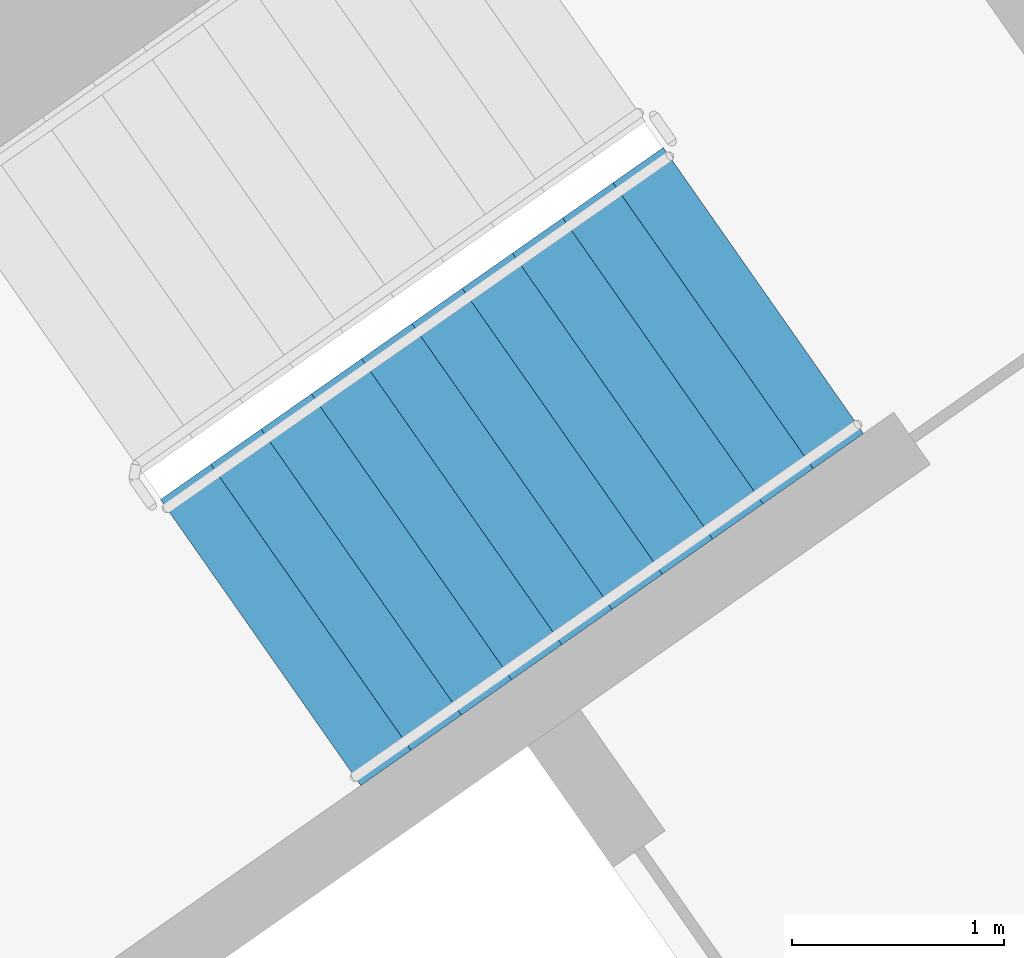
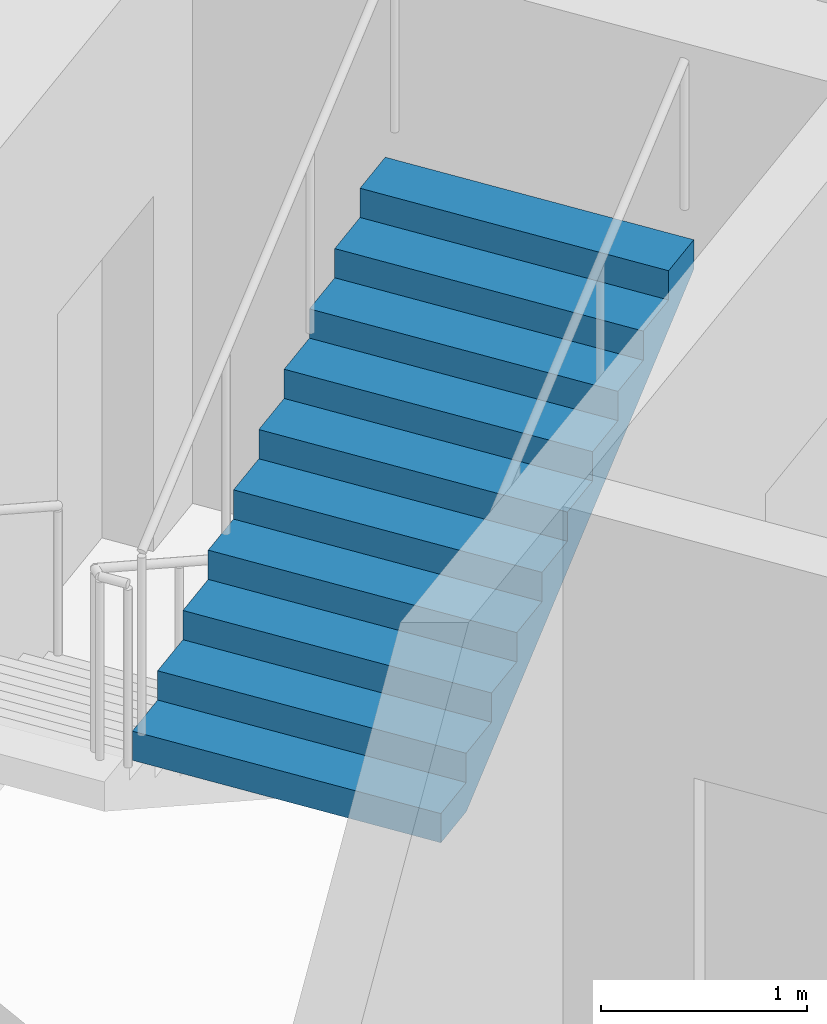
# One storey, part 17 of 27: 1 stair flight, 1 element without a shape of its own.
"""IFC4 building model written with IfcOpenShell, lengths in metres."""

from ifc_helpers import new_model, si_unit, direction, frame, origin, place, context, subcontext, project, spatial, faceted_brep, material, type_object, element, aggregate, save


model = new_model("IFC4")

# Units and contexts
model_context = context("Model", 3, precision=1e-05, world=origin(), true_north=direction((0.0, 1.0)))
body_context = subcontext(model_context, "Body", "Model", "MODEL_VIEW")
ifc_project = project(units=[si_unit("LENGTHUNIT", "METRE"), si_unit("AREAUNIT", "SQUARE_METRE"), si_unit("VOLUMEUNIT", "CUBIC_METRE"), si_unit("PLANEANGLEUNIT", "RADIAN"), si_unit("MASSUNIT", "GRAM", prefix="KILO")], contexts=[model_context])

# Site, building, storey
site_placement = place(None, origin())
site = spatial("IfcSite", under=ifc_project, at=site_placement, CompositionType="ELEMENT")
building_placement = place(site_placement, origin())
building = spatial("IfcBuilding", under=site, at=building_placement, Name="Qamariyya Broadcast Tower", CompositionType="ELEMENT")
storey_placement = place(building_placement, frame((0.0, 0.0, 179.699951171875)))
storey = spatial("IfcBuildingStorey", under=building, at=storey_placement, Name="L42", CompositionType="ELEMENT", Elevation=179.699951171875)

# Stair, stair flight
ifc_material = material(Name="Concrete C50/60", Category="concrete")
stair_type = type_object("IfcStairType", Name="Exit stair 22 risers of 173 mm", PredefinedType="HALF_TURN_STAIR", material=ifc_material)
stair_placement = place(storey_placement, origin())
stair = element("IfcStair", 1, at=stair_placement, inside=storey, type_object=stair_type, Name="L42 Stair E2", PredefinedType="HALF_TURN_STAIR")
stair_flight_type = type_object("IfcStairFlightType", Name="Exit stair flight 11 risers of 173 mm", PredefinedType="STRAIGHT", material=ifc_material)
stair_flight_placement = place(storey_placement, frame((39.215576171875, -50.822998046875, 1.900146484375), z_axis=(0.0, 0.0, 1.0), x_axis=(0.819152044289, 0.573576436351, 0.0)))
stair_flight = element("IfcStairFlight", 2, at=stair_flight_placement, type_object=stair_flight_type, Name="ST-E2 flight 2", NumberOfRisers=11, NumberOfTreads=10, PredefinedType="STRAIGHT", RiserHeight=0.172727273, TreadLength=0.29, context=body_context, shape_type="Brep", body=[
    faceted_brep([(0.0, 0.824951171875, 0.0), (0.0, 0.824951171875, 0.172607421875), (0.2900390625, 0.824951171875, 0.172607421875), (0.2900390625, 0.824951171875, 0.345458984375), (0.580078125, 0.824951171875, 0.345458984375), (0.580078125, 0.824951171875, 0.51806640625), (0.8701171875, 0.824951171875, 0.51806640625), (0.8701171875, 0.824951171875, 0.69091796875), (1.159912109375, 0.824951171875, 0.69091796875), (1.159912109375, 0.824951171875, 0.863525390625), (1.449951171875, 0.824951171875, 0.863525390625), (1.449951171875, 0.824951171875, 1.036376953125), (1.739990234375, 0.824951171875, 1.036376953125), (1.739990234375, 0.824951171875, 1.208984375), (2.030029296875, 0.824951171875, 1.208984375), (2.030029296875, 0.824951171875, 1.3818359375), (2.320068359375, 0.824951171875, 1.3818359375), (2.320068359375, 0.824951171875, 1.554443359375), (2.610107421875, 0.824951171875, 1.554443359375), (2.610107421875, 0.824951171875, 1.727294921875), (2.89990234375, 0.824951171875, 1.727294921875), (2.89990234375, 0.824951171875, 1.552734375), (0.29296875, 0.824951171875, 0.0), (0.29296875, -0.824951171875, 0.0), (2.89990234375, -0.824951171875, 1.552734375), (2.89990234375, -0.824951171875, 1.727294921875), (2.610107421875, -0.824951171875, 1.727294921875), (2.610107421875, -0.824951171875, 1.554443359375), (2.320068359375, -0.824951171875, 1.554443359375), (2.320068359375, -0.824951171875, 1.3818359375), (2.030029296875, -0.824951171875, 1.3818359375), (2.030029296875, -0.824951171875, 1.208984375), (1.739990234375, -0.824951171875, 1.208984375), (1.739990234375, -0.824951171875, 1.036376953125), (1.449951171875, -0.824951171875, 1.036376953125), (1.449951171875, -0.824951171875, 0.863525390625), (1.159912109375, -0.824951171875, 0.863525390625), (1.159912109375, -0.824951171875, 0.69091796875), (0.8701171875, -0.824951171875, 0.69091796875), (0.8701171875, -0.824951171875, 0.51806640625), (0.580078125, -0.824951171875, 0.51806640625), (0.580078125, -0.824951171875, 0.345458984375), (0.2900390625, -0.824951171875, 0.345458984375), (0.2900390625, -0.824951171875, 0.172607421875), (0.0, -0.824951171875, 0.172607421875), (0.0, -0.824951171875, 0.0), (0.0, 0.10009765625, 0.0), (0.0, 0.086669921875, 0.0), (0.0, 0.0732421875, 0.0), (0.0, 0.06005859375, 0.0), (0.0, 0.046630859375, 0.0), (0.0, 0.033447265625, 0.0), (0.0, 0.02001953125, 0.0), (0.0, 0.006591796875, 0.0), (0.0, -0.006591796875, 0.0), (0.0, -0.02001953125, 0.0), (0.0, -0.033447265625, 0.0), (0.0, -0.046630859375, 0.0), (0.0, -0.06005859375, 0.0), (0.0, -0.0732421875, 0.0), (0.0, -0.086669921875, 0.0), (0.0, -0.10009765625, 0.0), (0.0, -0.10009765625, 0.172607421875), (0.0, -0.086669921875, 0.172607421875), (0.0, -0.0732421875, 0.172607421875), (0.0, -0.06005859375, 0.172607421875), (0.0, -0.046630859375, 0.172607421875), (0.0, -0.033447265625, 0.172607421875), (0.0, -0.02001953125, 0.172607421875), (0.0, -0.006591796875, 0.172607421875), (0.0, 0.006591796875, 0.172607421875), (0.0, 0.02001953125, 0.172607421875), (0.0, 0.033447265625, 0.172607421875), (0.0, 0.046630859375, 0.172607421875), (0.0, 0.06005859375, 0.172607421875), (0.0, 0.0732421875, 0.172607421875), (0.0, 0.086669921875, 0.172607421875), (0.0, 0.10009765625, 0.172607421875), (0.2900390625, -0.10009765625, 0.172607421875), (0.2900390625, -0.086669921875, 0.172607421875), (0.2900390625, -0.0732421875, 0.172607421875), (0.2900390625, -0.06005859375, 0.172607421875), (0.2900390625, -0.046630859375, 0.172607421875), (0.2900390625, -0.033447265625, 0.172607421875), (0.2900390625, -0.02001953125, 0.172607421875), (0.2900390625, -0.006591796875, 0.172607421875), (0.2900390625, 0.006591796875, 0.172607421875), (0.2900390625, 0.02001953125, 0.172607421875), (0.2900390625, 0.033447265625, 0.172607421875), (0.2900390625, 0.046630859375, 0.172607421875), (0.2900390625, 0.06005859375, 0.172607421875), (0.2900390625, 0.0732421875, 0.172607421875), (0.2900390625, 0.086669921875, 0.172607421875), (0.2900390625, 0.10009765625, 0.172607421875), (0.2900390625, -0.10009765625, 0.345458984375), (0.2900390625, -0.086669921875, 0.345458984375), (0.2900390625, -0.0732421875, 0.345458984375), (0.2900390625, -0.06005859375, 0.345458984375), (0.2900390625, -0.046630859375, 0.345458984375), (0.2900390625, -0.033447265625, 0.345458984375), (0.2900390625, -0.02001953125, 0.345458984375), (0.2900390625, -0.006591796875, 0.345458984375), (0.2900390625, 0.006591796875, 0.345458984375), (0.2900390625, 0.02001953125, 0.345458984375), (0.2900390625, 0.033447265625, 0.345458984375), (0.2900390625, 0.046630859375, 0.345458984375), (0.2900390625, 0.06005859375, 0.345458984375), (0.2900390625, 0.0732421875, 0.345458984375), (0.2900390625, 0.086669921875, 0.345458984375), (0.2900390625, 0.10009765625, 0.345458984375), (0.580078125, -0.10009765625, 0.345458984375), (0.580078125, -0.086669921875, 0.345458984375), (0.580078125, -0.0732421875, 0.345458984375), (0.580078125, -0.06005859375, 0.345458984375), (0.580078125, -0.046630859375, 0.345458984375), (0.580078125, -0.033447265625, 0.345458984375), (0.580078125, -0.02001953125, 0.345458984375), (0.580078125, -0.006591796875, 0.345458984375), (0.580078125, 0.006591796875, 0.345458984375), (0.580078125, 0.02001953125, 0.345458984375), (0.580078125, 0.033447265625, 0.345458984375), (0.580078125, 0.046630859375, 0.345458984375), (0.580078125, 0.06005859375, 0.345458984375), (0.580078125, 0.0732421875, 0.345458984375), (0.580078125, 0.086669921875, 0.345458984375), (0.580078125, 0.10009765625, 0.345458984375), (0.580078125, -0.10009765625, 0.51806640625), (0.580078125, -0.086669921875, 0.51806640625), (0.580078125, -0.0732421875, 0.51806640625), (0.580078125, -0.06005859375, 0.51806640625), (0.580078125, -0.046630859375, 0.51806640625), (0.580078125, -0.033447265625, 0.51806640625), (0.580078125, -0.02001953125, 0.51806640625), (0.580078125, -0.006591796875, 0.51806640625), (0.580078125, 0.006591796875, 0.51806640625), (0.580078125, 0.02001953125, 0.51806640625), (0.580078125, 0.033447265625, 0.51806640625), (0.580078125, 0.046630859375, 0.51806640625), (0.580078125, 0.06005859375, 0.51806640625), (0.580078125, 0.0732421875, 0.51806640625), (0.580078125, 0.086669921875, 0.51806640625), (0.580078125, 0.10009765625, 0.51806640625), (0.8701171875, -0.10009765625, 0.51806640625), (0.8701171875, -0.086669921875, 0.51806640625), (0.8701171875, -0.0732421875, 0.51806640625), (0.8701171875, -0.06005859375, 0.51806640625), (0.8701171875, -0.046630859375, 0.51806640625), (0.8701171875, -0.033447265625, 0.51806640625), (0.8701171875, -0.02001953125, 0.51806640625), (0.8701171875, -0.006591796875, 0.51806640625), (0.8701171875, 0.006591796875, 0.51806640625), (0.8701171875, 0.02001953125, 0.51806640625), (0.8701171875, 0.033447265625, 0.51806640625), (0.8701171875, 0.046630859375, 0.51806640625), (0.8701171875, 0.06005859375, 0.51806640625), (0.8701171875, 0.0732421875, 0.51806640625), (0.8701171875, 0.086669921875, 0.51806640625), (0.8701171875, 0.10009765625, 0.51806640625), (0.8701171875, -0.10009765625, 0.69091796875), (0.8701171875, -0.086669921875, 0.69091796875), (0.8701171875, -0.0732421875, 0.69091796875), (0.8701171875, -0.06005859375, 0.69091796875), (0.8701171875, -0.046630859375, 0.69091796875), (0.8701171875, -0.033447265625, 0.69091796875), (0.8701171875, -0.02001953125, 0.69091796875), (0.8701171875, -0.006591796875, 0.69091796875), (0.8701171875, 0.006591796875, 0.69091796875), (0.8701171875, 0.02001953125, 0.69091796875), (0.8701171875, 0.033447265625, 0.69091796875), (0.8701171875, 0.046630859375, 0.69091796875), (0.8701171875, 0.06005859375, 0.69091796875), (0.8701171875, 0.0732421875, 0.69091796875), (0.8701171875, 0.086669921875, 0.69091796875), (0.8701171875, 0.10009765625, 0.69091796875), (1.159912109375, -0.10009765625, 0.69091796875), (1.159912109375, -0.086669921875, 0.69091796875), (1.159912109375, -0.0732421875, 0.69091796875), (1.159912109375, -0.06005859375, 0.69091796875), (1.159912109375, -0.046630859375, 0.69091796875), (1.159912109375, -0.033447265625, 0.69091796875), (1.159912109375, -0.02001953125, 0.69091796875), (1.159912109375, -0.006591796875, 0.69091796875), (1.159912109375, 0.006591796875, 0.69091796875), (1.159912109375, 0.02001953125, 0.69091796875), (1.159912109375, 0.033447265625, 0.69091796875), (1.159912109375, 0.046630859375, 0.69091796875), (1.159912109375, 0.06005859375, 0.69091796875), (1.159912109375, 0.0732421875, 0.69091796875), (1.159912109375, 0.086669921875, 0.69091796875), (1.159912109375, 0.10009765625, 0.69091796875), (1.159912109375, -0.10009765625, 0.863525390625), (1.159912109375, -0.086669921875, 0.863525390625), (1.159912109375, -0.0732421875, 0.863525390625), (1.159912109375, -0.06005859375, 0.863525390625), (1.159912109375, -0.046630859375, 0.863525390625), (1.159912109375, -0.033447265625, 0.863525390625), (1.159912109375, -0.02001953125, 0.863525390625), (1.159912109375, -0.006591796875, 0.863525390625), (1.159912109375, 0.006591796875, 0.863525390625), (1.159912109375, 0.02001953125, 0.863525390625), (1.159912109375, 0.033447265625, 0.863525390625), (1.159912109375, 0.046630859375, 0.863525390625), (1.159912109375, 0.06005859375, 0.863525390625), (1.159912109375, 0.0732421875, 0.863525390625), (1.159912109375, 0.086669921875, 0.863525390625), (1.159912109375, 0.10009765625, 0.863525390625), (1.449951171875, -0.10009765625, 0.863525390625), (1.449951171875, -0.086669921875, 0.863525390625), (1.449951171875, -0.0732421875, 0.863525390625), (1.449951171875, -0.06005859375, 0.863525390625), (1.449951171875, -0.046630859375, 0.863525390625), (1.449951171875, -0.033447265625, 0.863525390625), (1.449951171875, -0.02001953125, 0.863525390625), (1.449951171875, -0.006591796875, 0.863525390625), (1.449951171875, 0.006591796875, 0.863525390625), (1.449951171875, 0.02001953125, 0.863525390625), (1.449951171875, 0.033447265625, 0.863525390625), (1.449951171875, 0.046630859375, 0.863525390625), (1.449951171875, 0.06005859375, 0.863525390625), (1.449951171875, 0.0732421875, 0.863525390625), (1.449951171875, 0.086669921875, 0.863525390625), (1.449951171875, 0.10009765625, 0.863525390625), (1.449951171875, -0.10009765625, 1.036376953125), (1.449951171875, -0.086669921875, 1.036376953125), (1.449951171875, -0.0732421875, 1.036376953125), (1.449951171875, -0.06005859375, 1.036376953125), (1.449951171875, -0.046630859375, 1.036376953125), (1.449951171875, -0.033447265625, 1.036376953125), (1.449951171875, -0.02001953125, 1.036376953125), (1.449951171875, -0.006591796875, 1.036376953125), (1.449951171875, 0.006591796875, 1.036376953125), (1.449951171875, 0.02001953125, 1.036376953125), (1.449951171875, 0.033447265625, 1.036376953125), (1.449951171875, 0.046630859375, 1.036376953125), (1.449951171875, 0.06005859375, 1.036376953125), (1.449951171875, 0.0732421875, 1.036376953125), (1.449951171875, 0.086669921875, 1.036376953125), (1.449951171875, 0.10009765625, 1.036376953125), (1.739990234375, -0.10009765625, 1.036376953125), (1.739990234375, -0.086669921875, 1.036376953125), (1.739990234375, -0.0732421875, 1.036376953125), (1.739990234375, -0.06005859375, 1.036376953125), (1.739990234375, -0.046630859375, 1.036376953125), (1.739990234375, -0.033447265625, 1.036376953125), (1.739990234375, -0.02001953125, 1.036376953125), (1.739990234375, -0.006591796875, 1.036376953125), (1.739990234375, 0.006591796875, 1.036376953125), (1.739990234375, 0.02001953125, 1.036376953125), (1.739990234375, 0.033447265625, 1.036376953125), (1.739990234375, 0.046630859375, 1.036376953125), (1.739990234375, 0.06005859375, 1.036376953125), (1.739990234375, 0.0732421875, 1.036376953125), (1.739990234375, 0.086669921875, 1.036376953125), (1.739990234375, 0.10009765625, 1.036376953125), (1.739990234375, -0.10009765625, 1.208984375), (1.739990234375, -0.086669921875, 1.208984375), (1.739990234375, -0.0732421875, 1.208984375), (1.739990234375, -0.06005859375, 1.208984375), (1.739990234375, -0.046630859375, 1.208984375), (1.739990234375, -0.033447265625, 1.208984375), (1.739990234375, -0.02001953125, 1.208984375), (1.739990234375, -0.006591796875, 1.208984375), (1.739990234375, 0.006591796875, 1.208984375), (1.739990234375, 0.02001953125, 1.208984375), (1.739990234375, 0.033447265625, 1.208984375), (1.739990234375, 0.046630859375, 1.208984375), (1.739990234375, 0.06005859375, 1.208984375), (1.739990234375, 0.0732421875, 1.208984375), (1.739990234375, 0.086669921875, 1.208984375), (1.739990234375, 0.10009765625, 1.208984375), (2.030029296875, -0.10009765625, 1.208984375), (2.030029296875, -0.086669921875, 1.208984375), (2.030029296875, -0.0732421875, 1.208984375), (2.030029296875, -0.06005859375, 1.208984375), (2.030029296875, -0.046630859375, 1.208984375), (2.030029296875, -0.033447265625, 1.208984375), (2.030029296875, -0.02001953125, 1.208984375), (2.030029296875, -0.006591796875, 1.208984375), (2.030029296875, 0.006591796875, 1.208984375), (2.030029296875, 0.02001953125, 1.208984375), (2.030029296875, 0.033447265625, 1.208984375), (2.030029296875, 0.046630859375, 1.208984375), (2.030029296875, 0.06005859375, 1.208984375), (2.030029296875, 0.0732421875, 1.208984375), (2.030029296875, 0.086669921875, 1.208984375), (2.030029296875, 0.10009765625, 1.208984375), (2.030029296875, -0.10009765625, 1.3818359375), (2.030029296875, -0.086669921875, 1.3818359375), (2.030029296875, -0.0732421875, 1.3818359375), (2.030029296875, -0.06005859375, 1.3818359375), (2.030029296875, -0.046630859375, 1.3818359375), (2.030029296875, -0.033447265625, 1.3818359375), (2.030029296875, -0.02001953125, 1.3818359375), (2.030029296875, -0.006591796875, 1.3818359375), (2.030029296875, 0.006591796875, 1.3818359375), (2.030029296875, 0.02001953125, 1.3818359375), (2.030029296875, 0.033447265625, 1.3818359375), (2.030029296875, 0.046630859375, 1.3818359375), (2.030029296875, 0.06005859375, 1.3818359375), (2.030029296875, 0.0732421875, 1.3818359375), (2.030029296875, 0.086669921875, 1.3818359375), (2.030029296875, 0.10009765625, 1.3818359375), (2.320068359375, -0.10009765625, 1.3818359375), (2.320068359375, -0.086669921875, 1.3818359375), (2.320068359375, -0.0732421875, 1.3818359375), (2.320068359375, -0.06005859375, 1.3818359375), (2.320068359375, -0.046630859375, 1.3818359375), (2.320068359375, -0.033447265625, 1.3818359375), (2.320068359375, -0.02001953125, 1.3818359375), (2.320068359375, -0.006591796875, 1.3818359375), (2.320068359375, 0.006591796875, 1.3818359375), (2.320068359375, 0.02001953125, 1.3818359375), (2.320068359375, 0.033447265625, 1.3818359375), (2.320068359375, 0.046630859375, 1.3818359375), (2.320068359375, 0.06005859375, 1.3818359375), (2.320068359375, 0.0732421875, 1.3818359375), (2.320068359375, 0.086669921875, 1.3818359375), (2.320068359375, 0.10009765625, 1.3818359375), (2.320068359375, -0.10009765625, 1.554443359375), (2.320068359375, -0.086669921875, 1.554443359375), (2.320068359375, -0.0732421875, 1.554443359375), (2.320068359375, -0.06005859375, 1.554443359375), (2.320068359375, -0.046630859375, 1.554443359375), (2.320068359375, -0.033447265625, 1.554443359375), (2.320068359375, -0.02001953125, 1.554443359375), (2.320068359375, -0.006591796875, 1.554443359375), (2.320068359375, 0.006591796875, 1.554443359375), (2.320068359375, 0.02001953125, 1.554443359375), (2.320068359375, 0.033447265625, 1.554443359375), (2.320068359375, 0.046630859375, 1.554443359375), (2.320068359375, 0.06005859375, 1.554443359375), (2.320068359375, 0.0732421875, 1.554443359375), (2.320068359375, 0.086669921875, 1.554443359375), (2.320068359375, 0.10009765625, 1.554443359375), (2.610107421875, -0.10009765625, 1.554443359375), (2.610107421875, -0.086669921875, 1.554443359375), (2.610107421875, -0.0732421875, 1.554443359375), (2.610107421875, -0.06005859375, 1.554443359375), (2.610107421875, -0.046630859375, 1.554443359375), (2.610107421875, -0.033447265625, 1.554443359375), (2.610107421875, -0.02001953125, 1.554443359375), (2.610107421875, -0.006591796875, 1.554443359375), (2.610107421875, 0.006591796875, 1.554443359375), (2.610107421875, 0.02001953125, 1.554443359375), (2.610107421875, 0.033447265625, 1.554443359375), (2.610107421875, 0.046630859375, 1.554443359375), (2.610107421875, 0.06005859375, 1.554443359375), (2.610107421875, 0.0732421875, 1.554443359375), (2.610107421875, 0.086669921875, 1.554443359375), (2.610107421875, 0.10009765625, 1.554443359375), (2.610107421875, -0.10009765625, 1.727294921875), (2.610107421875, -0.086669921875, 1.727294921875), (2.610107421875, -0.0732421875, 1.727294921875), (2.610107421875, -0.06005859375, 1.727294921875), (2.610107421875, -0.046630859375, 1.727294921875), (2.610107421875, -0.033447265625, 1.727294921875), (2.610107421875, -0.02001953125, 1.727294921875), (2.610107421875, -0.006591796875, 1.727294921875), (2.610107421875, 0.006591796875, 1.727294921875), (2.610107421875, 0.02001953125, 1.727294921875), (2.610107421875, 0.033447265625, 1.727294921875), (2.610107421875, 0.046630859375, 1.727294921875), (2.610107421875, 0.06005859375, 1.727294921875), (2.610107421875, 0.0732421875, 1.727294921875), (2.610107421875, 0.086669921875, 1.727294921875), (2.610107421875, 0.10009765625, 1.727294921875), (2.89990234375, -0.10009765625, 1.727294921875), (2.89990234375, -0.086669921875, 1.727294921875), (2.89990234375, -0.0732421875, 1.727294921875), (2.89990234375, -0.06005859375, 1.727294921875), (2.89990234375, -0.046630859375, 1.727294921875), (2.89990234375, -0.033447265625, 1.727294921875), (2.89990234375, -0.02001953125, 1.727294921875), (2.89990234375, -0.006591796875, 1.727294921875), (2.89990234375, 0.006591796875, 1.727294921875), (2.89990234375, 0.02001953125, 1.727294921875), (2.89990234375, 0.033447265625, 1.727294921875), (2.89990234375, 0.046630859375, 1.727294921875), (2.89990234375, 0.06005859375, 1.727294921875), (2.89990234375, 0.0732421875, 1.727294921875), (2.89990234375, 0.086669921875, 1.727294921875), (2.89990234375, 0.10009765625, 1.727294921875), (2.89990234375, -0.10009765625, 1.552734375), (2.89990234375, -0.086669921875, 1.552734375), (2.89990234375, -0.0732421875, 1.552734375), (2.89990234375, -0.06005859375, 1.552734375), (2.89990234375, -0.046630859375, 1.552734375), (2.89990234375, -0.033447265625, 1.552734375), (2.89990234375, -0.02001953125, 1.552734375), (2.89990234375, -0.006591796875, 1.552734375), (2.89990234375, 0.006591796875, 1.552734375), (2.89990234375, 0.02001953125, 1.552734375), (2.89990234375, 0.033447265625, 1.552734375), (2.89990234375, 0.046630859375, 1.552734375), (2.89990234375, 0.06005859375, 1.552734375), (2.89990234375, 0.0732421875, 1.552734375), (2.89990234375, 0.086669921875, 1.552734375), (2.89990234375, 0.10009765625, 1.552734375), (0.29296875, -0.10009765625, 0.0), (0.29296875, -0.086669921875, 0.0), (0.29296875, -0.0732421875, 0.0), (0.29296875, -0.06005859375, 0.0), (0.29296875, -0.046630859375, 0.0), (0.29296875, -0.033447265625, 0.0), (0.29296875, -0.02001953125, 0.0), (0.29296875, -0.006591796875, 0.0), (0.29296875, 0.006591796875, 0.0), (0.29296875, 0.02001953125, 0.0), (0.29296875, 0.033447265625, 0.0), (0.29296875, 0.046630859375, 0.0), (0.29296875, 0.06005859375, 0.0), (0.29296875, 0.0732421875, 0.0), (0.29296875, 0.086669921875, 0.0), (0.29296875, 0.10009765625, 0.0)], [[[0, 1, 2, 3, 4, 5, 6, 7, 8, 9, 10, 11, 12, 13, 14, 15, 16, 17, 18, 19, 20, 21, 22]], [[23, 24, 25, 26, 27, 28, 29, 30, 31, 32, 33, 34, 35, 36, 37, 38, 39, 40, 41, 42, 43, 44, 45]], [[0, 46, 47, 48, 49, 50, 51, 52, 53, 54, 55, 56, 57, 58, 59, 60, 61, 45, 44, 62, 63, 64, 65, 66, 67, 68, 69, 70, 71, 72, 73, 74, 75, 76, 77, 1]], [[1, 77, 76, 75, 74, 73, 72, 71, 70, 69, 68, 67, 66, 65, 64, 63, 62, 44, 43, 78, 79, 80, 81, 82, 83, 84, 85, 86, 87, 88, 89, 90, 91, 92, 93, 2]], [[2, 93, 92, 91, 90, 89, 88, 87, 86, 85, 84, 83, 82, 81, 80, 79, 78, 43, 42, 94, 95, 96, 97, 98, 99, 100, 101, 102, 103, 104, 105, 106, 107, 108, 109, 3]], [[3, 109, 108, 107, 106, 105, 104, 103, 102, 101, 100, 99, 98, 97, 96, 95, 94, 42, 41, 110, 111, 112, 113, 114, 115, 116, 117, 118, 119, 120, 121, 122, 123, 124, 125, 4]], [[4, 125, 124, 123, 122, 121, 120, 119, 118, 117, 116, 115, 114, 113, 112, 111, 110, 41, 40, 126, 127, 128, 129, 130, 131, 132, 133, 134, 135, 136, 137, 138, 139, 140, 141, 5]], [[5, 141, 140, 139, 138, 137, 136, 135, 134, 133, 132, 131, 130, 129, 128, 127, 126, 40, 39, 142, 143, 144, 145, 146, 147, 148, 149, 150, 151, 152, 153, 154, 155, 156, 157, 6]], [[6, 157, 156, 155, 154, 153, 152, 151, 150, 149, 148, 147, 146, 145, 144, 143, 142, 39, 38, 158, 159, 160, 161, 162, 163, 164, 165, 166, 167, 168, 169, 170, 171, 172, 173, 7]], [[7, 173, 172, 171, 170, 169, 168, 167, 166, 165, 164, 163, 162, 161, 160, 159, 158, 38, 37, 174, 175, 176, 177, 178, 179, 180, 181, 182, 183, 184, 185, 186, 187, 188, 189, 8]], [[8, 189, 188, 187, 186, 185, 184, 183, 182, 181, 180, 179, 178, 177, 176, 175, 174, 37, 36, 190, 191, 192, 193, 194, 195, 196, 197, 198, 199, 200, 201, 202, 203, 204, 205, 9]], [[9, 205, 204, 203, 202, 201, 200, 199, 198, 197, 196, 195, 194, 193, 192, 191, 190, 36, 35, 206, 207, 208, 209, 210, 211, 212, 213, 214, 215, 216, 217, 218, 219, 220, 221, 10]], [[10, 221, 220, 219, 218, 217, 216, 215, 214, 213, 212, 211, 210, 209, 208, 207, 206, 35, 34, 222, 223, 224, 225, 226, 227, 228, 229, 230, 231, 232, 233, 234, 235, 236, 237, 11]], [[11, 237, 236, 235, 234, 233, 232, 231, 230, 229, 228, 227, 226, 225, 224, 223, 222, 34, 33, 238, 239, 240, 241, 242, 243, 244, 245, 246, 247, 248, 249, 250, 251, 252, 253, 12]], [[12, 253, 252, 251, 250, 249, 248, 247, 246, 245, 244, 243, 242, 241, 240, 239, 238, 33, 32, 254, 255, 256, 257, 258, 259, 260, 261, 262, 263, 264, 265, 266, 267, 268, 269, 13]], [[13, 269, 268, 267, 266, 265, 264, 263, 262, 261, 260, 259, 258, 257, 256, 255, 254, 32, 31, 270, 271, 272, 273, 274, 275, 276, 277, 278, 279, 280, 281, 282, 283, 284, 285, 14]], [[14, 285, 284, 283, 282, 281, 280, 279, 278, 277, 276, 275, 274, 273, 272, 271, 270, 31, 30, 286, 287, 288, 289, 290, 291, 292, 293, 294, 295, 296, 297, 298, 299, 300, 301, 15]], [[15, 301, 300, 299, 298, 297, 296, 295, 294, 293, 292, 291, 290, 289, 288, 287, 286, 30, 29, 302, 303, 304, 305, 306, 307, 308, 309, 310, 311, 312, 313, 314, 315, 316, 317, 16]], [[16, 317, 316, 315, 314, 313, 312, 311, 310, 309, 308, 307, 306, 305, 304, 303, 302, 29, 28, 318, 319, 320, 321, 322, 323, 324, 325, 326, 327, 328, 329, 330, 331, 332, 333, 17]], [[17, 333, 332, 331, 330, 329, 328, 327, 326, 325, 324, 323, 322, 321, 320, 319, 318, 28, 27, 334, 335, 336, 337, 338, 339, 340, 341, 342, 343, 344, 345, 346, 347, 348, 349, 18]], [[18, 349, 348, 347, 346, 345, 344, 343, 342, 341, 340, 339, 338, 337, 336, 335, 334, 27, 26, 350, 351, 352, 353, 354, 355, 356, 357, 358, 359, 360, 361, 362, 363, 364, 365, 19]], [[19, 365, 364, 363, 362, 361, 360, 359, 358, 357, 356, 355, 354, 353, 352, 351, 350, 26, 25, 366, 367, 368, 369, 370, 371, 372, 373, 374, 375, 376, 377, 378, 379, 380, 381, 20]], [[20, 381, 380, 379, 378, 377, 376, 375, 374, 373, 372, 371, 370, 369, 368, 367, 366, 25, 24, 382, 383, 384, 385, 386, 387, 388, 389, 390, 391, 392, 393, 394, 395, 396, 397, 21]], [[21, 397, 396, 395, 394, 393, 392, 391, 390, 389, 388, 387, 386, 385, 384, 383, 382, 24, 23, 398, 399, 400, 401, 402, 403, 404, 405, 406, 407, 408, 409, 410, 411, 412, 413, 22]], [[22, 413, 412, 411, 410, 409, 408, 407, 406, 405, 404, 403, 402, 401, 400, 399, 398, 23, 45, 61, 60, 59, 58, 57, 56, 55, 54, 53, 52, 51, 50, 49, 48, 47, 46, 0]]]),
])
aggregate(stair, [stair_flight])

save(model, "model.ifc")
